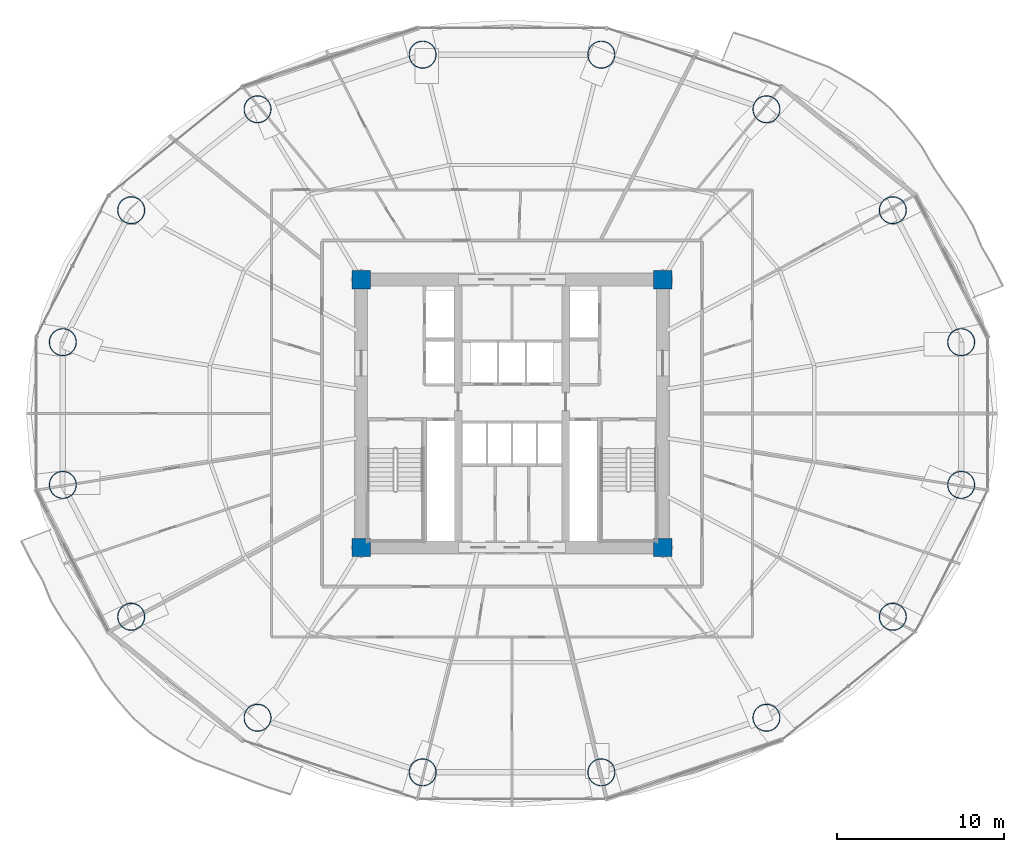
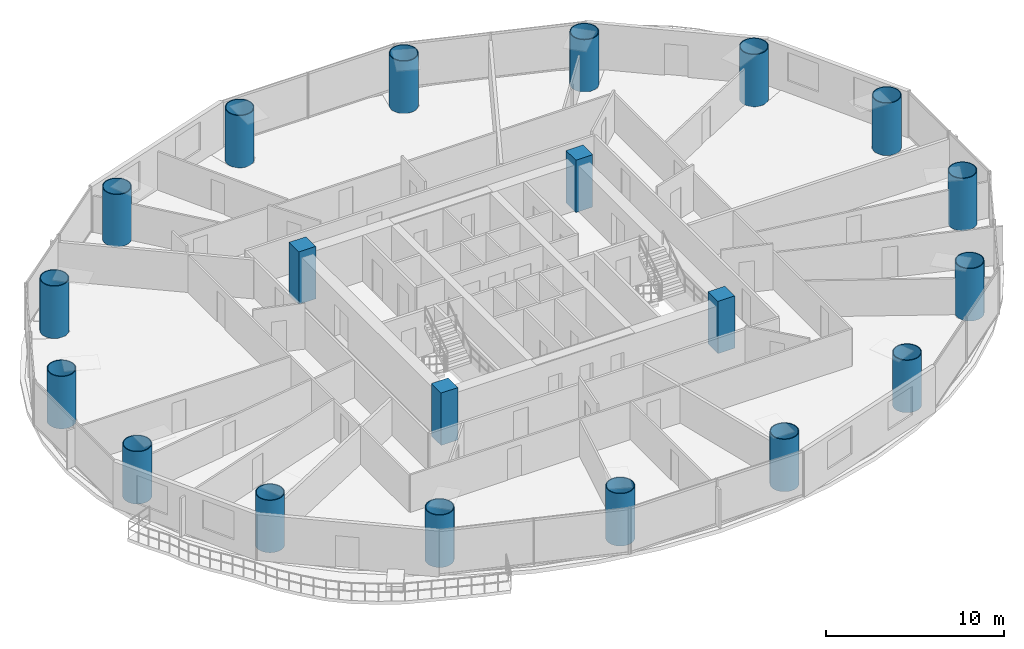
# One storey, part 1 of 29: 20 columns.
"""IFC4 building model written with IfcOpenShell, lengths in metres."""

from ifc_helpers import new_model, si_unit, direction, frame, origin, origin_2d, place, context, subcontext, project, spatial, rectangle, hollow_circle, extrude, material, material_profile, profile_set, type_object, element, save


model = new_model("IFC4")

# Units and contexts
model_context = context("Model", 3, precision=1e-05, world=origin(), true_north=direction((-0.2419218956, 0.970295726276)))
body_context = subcontext(model_context, "Body", "Model", "MODEL_VIEW")
ifc_project = project(units=[si_unit("LENGTHUNIT", "METRE"), si_unit("AREAUNIT", "SQUARE_METRE"), si_unit("VOLUMEUNIT", "CUBIC_METRE"), si_unit("PLANEANGLEUNIT", "RADIAN"), si_unit("MASSUNIT", "GRAM", prefix="KILO")], contexts=[model_context])

# Site, building, storey
site_placement = place(None, origin())
site = spatial("IfcSite", under=ifc_project, at=site_placement, CompositionType="ELEMENT")
building_placement = place(site_placement, origin())
building = spatial("IfcBuilding", under=site, at=building_placement, Name="Cobrevalo Terracotta Tower", CompositionType="ELEMENT")
storey_placement = place(building_placement, frame((0.0, 0.0, 70.800048828125)))
storey = spatial("IfcBuildingStorey", under=building, at=storey_placement, Name="L18", CompositionType="ELEMENT", Elevation=70.800048828125)

# Columns
ifc_material_1 = material(Name="Steel S355", Category="steel")
ifc_material_profile_1 = material_profile(ifc_material_1, hollow_circle(Radius=0.824951171875, WallThickness=0.050048828125, at=origin_2d()), Name="CHS 1650x50")
ifc_profile_set_1 = profile_set([ifc_material_profile_1], Name="Steel S355")
column_type_1 = type_object("IfcColumnType", Name="Structural Column CHS 1650x50 (Steel S355)", PredefinedType="COLUMN", material=ifc_profile_set_1)
for number, where, z_axis, x_axis, name in (
    (1, (64.824462890625, 31.062744140625, 0.0), (0.0, 0.0, 1.0), (1.0, 0.0, 0.0), "L18 composite megacolumn MC01"),
    (2, (60.74072265625, 38.939208984375, 0.0), (0.0, 0.0, 1.0), (1.0, 0.0, 0.0), "L18 composite megacolumn MC02"),
    (3, (53.19482421875, 44.967529296875, 0.0), (0.0, 0.0, 1.0), (1.0, 0.0, 0.0), "L18 composite megacolumn MC03"),
    (4, (43.335693359375, 48.230224609375, 0.0), (0.0, 0.0, 1.0), (1.0, 0.0, 0.0), "L18 composite megacolumn MC04"),
    (5, (32.664306640625, 48.230224609375, 0.0), (0.0, 0.0, 1.0), (1.0, 0.0, 0.0), "L18 composite megacolumn MC05"),
    (6, (22.80517578125, 44.967529296875, 0.0), (0.0, 0.0, 1.0), (1.0, 0.0, 0.0), "L18 composite megacolumn MC06"),
    (7, (15.25927734375, 38.939208984375, 0.0), (0.0, 0.0, 1.0), (1.0, 0.0, 0.0), "L18 composite megacolumn MC07"),
    (8, (11.175537109375, 31.062744140625, 0.0), (0.0, 0.0, 1.0), (1.0, 0.0, 0.0), "L18 composite megacolumn MC08"),
    (9, (11.175537109375, 22.537353515625, 0.0), (0.0, 0.0, 1.0), (1.0, 0.0, 0.0), "L18 composite megacolumn MC09"),
    (10, (15.25927734375, 14.660888671875, 0.0), (0.0, 0.0, 1.0), (1.0, 0.0, 0.0), "L18 composite megacolumn MC10"),
    (11, (22.80517578125, 8.63232421875, 0.0), (0.0, 0.0, 1.0), (1.0, 0.0, 0.0), "L18 composite megacolumn MC11"),
    (12, (32.664306640625, 5.369873046875, 0.0), (0.0, 0.0, 1.0), (1.0, 0.0, 0.0), "L18 composite megacolumn MC12"),
    (13, (43.335693359375, 5.369873046875, 0.0), (0.0, 0.0, 1.0), (1.0, 0.0, 0.0), "L18 composite megacolumn MC13"),
    (14, (53.19482421875, 8.63232421875, 0.0), (0.0, 0.0, 1.0), (1.0, 0.0, 0.0), "L18 composite megacolumn MC14"),
    (15, (60.74072265625, 14.660888671875, 0.0), (0.0, 0.0, 1.0), (1.0, 0.0, 0.0), "L18 composite megacolumn MC15"),
    (16, (64.824462890625, 22.537353515625, 0.0), (0.0, 0.0, 1.0), (1.0, 0.0, 0.0), "L18 composite megacolumn MC16"),
):
    element("IfcColumn", number, at=place(storey_placement, frame(where, z_axis=z_axis, x_axis=x_axis)), inside=storey, type_object=column_type_1, Name=name, PredefinedType="COLUMN", context=body_context, shape_type="SweptSolid", body=[
        extrude(hollow_circle(Radius=0.824951171875, WallThickness=0.050048828125, at=origin_2d()), origin(), (0.0, 0.0, 1.0), 3.599853515625),
    ])
ifc_material_2 = material(Name="Concrete C60", Category="concrete")
ifc_material_profile_2 = material_profile(ifc_material_2, rectangle(XDim=1.10009765625, YDim=1.10009765625, at=origin_2d()), Name="RC COL 1100x1100")
ifc_profile_set_2 = profile_set([ifc_material_profile_2], Name="Concrete C60")
column_type_2 = type_object("IfcColumnType", Name="Structural Column RC COL 1100x1100 (Concrete C60)", PredefinedType="COLUMN", material=ifc_profile_set_2)
for number, where, z_axis, x_axis, name in (
    (17, (29.0, 18.800048828125, 0.0), (0.0, 0.0, 1.0), (1.0, 0.0, 0.0), "L18 core corner column CC1"),
    (18, (47.0, 18.800048828125, 0.0), (0.0, 0.0, 1.0), (1.0, 0.0, 0.0), "L18 core corner column CC2"),
    (19, (47.0, 34.800048828125, 0.0), (0.0, 0.0, 1.0), (1.0, 0.0, 0.0), "L18 core corner column CC3"),
    (20, (29.0, 34.800048828125, 0.0), (0.0, 0.0, 1.0), (1.0, 0.0, 0.0), "L18 core corner column CC4"),
):
    element("IfcColumn", number, at=place(storey_placement, frame(where, z_axis=z_axis, x_axis=x_axis)), inside=storey, type_object=column_type_2, Name=name, PredefinedType="COLUMN", context=body_context, shape_type="SweptSolid", body=[
        extrude(rectangle(XDim=1.10009765625, YDim=1.10009765625, at=origin_2d()), origin(), (0.0, 0.0, 1.0), 3.599853515625),
    ])

save(model, "model.ifc")
